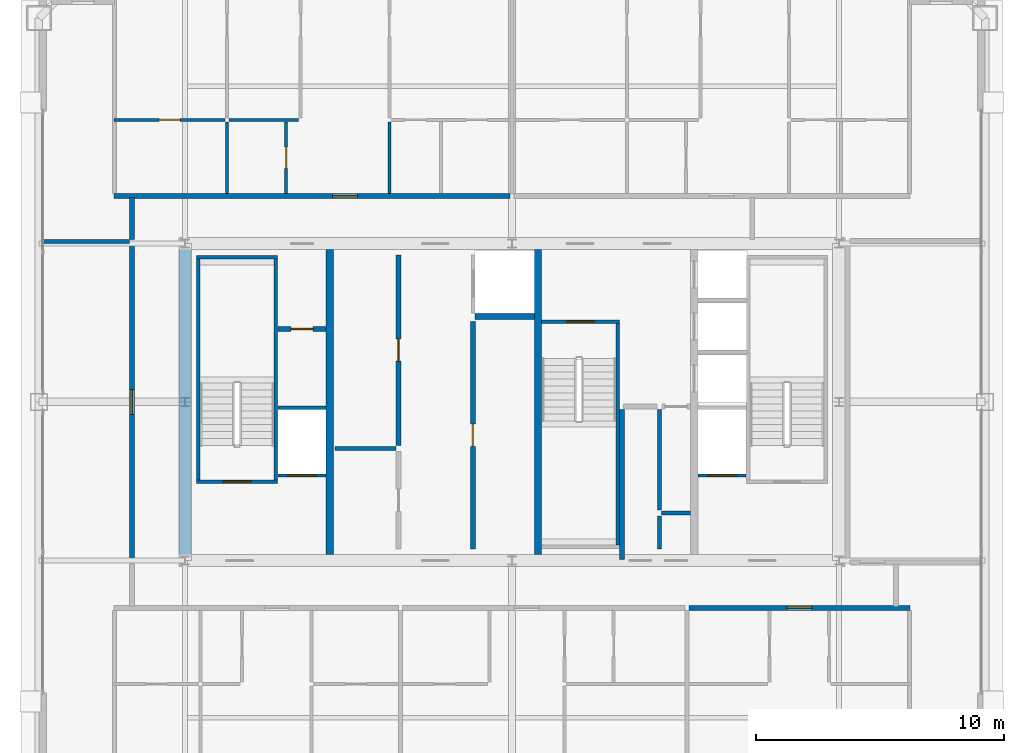
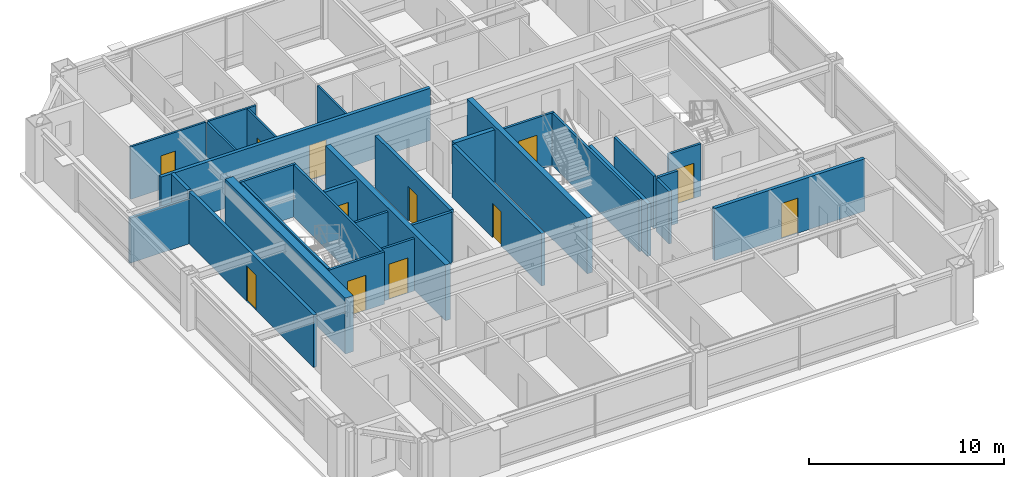
# One storey, part 31 of 35: 31 walls, 12 doors, 12 openings.
"""IFC4 building model written with IfcOpenShell, lengths in metres."""

from ifc_helpers import new_model, si_unit, direction, frame, frame_2d, origin, place, context, subcontext, project, spatial, rectangle, extrude, source, transform, mapped, material, layer, layer_set, type_object, element, fill, save


model = new_model("IFC4")

# Units and contexts
model_context = context("Model", 3, precision=1e-05, world=origin(), true_north=direction((0.0, 1.0)))
body_context = subcontext(model_context, "Body", "Model", "MODEL_VIEW")
ifc_project = project(units=[si_unit("LENGTHUNIT", "METRE"), si_unit("AREAUNIT", "SQUARE_METRE"), si_unit("VOLUMEUNIT", "CUBIC_METRE"), si_unit("PLANEANGLEUNIT", "RADIAN"), si_unit("MASSUNIT", "GRAM", prefix="KILO"), si_unit("THERMODYNAMICTEMPERATUREUNIT", "KELVIN"), si_unit("POWERUNIT", "WATT")], contexts=[model_context])

# Site, building, storey
site_placement = place(None, origin())
site = spatial("IfcSite", under=ifc_project, at=site_placement, CompositionType="ELEMENT")
building_placement = place(site_placement, origin())
building = spatial("IfcBuilding", under=site, at=building_placement, Name="Yuzanri Waterfront Tower", CompositionType="ELEMENT")
storey_placement = place(building_placement, frame((0.0, 0.0, 332.199951171875)))
storey = spatial("IfcBuildingStorey", under=building, at=storey_placement, Name="L89", CompositionType="ELEMENT", Elevation=332.199951171875)

# Wall, opening, door
ifc_material_1 = material(Name="Moisture-Resistant Gypsum Stud Wall", Category="gypsum")
ifc_layer_1 = layer(ifc_material_1, 0.1201171875)
ifc_layer_set_1 = layer_set([ifc_layer_1], Name="Moisture-Resistant Gypsum Stud Wall")
wall_type_1 = type_object("IfcWallType", Name="Bathroom and Kitchen Wet Partition 120", PredefinedType="PARTITIONING", material=ifc_layer_set_1)
wall_1_placement = place(storey_placement, frame((20.93994140625, 37.18994140625, 0.0), z_axis=(0.0, 0.0, 1.0), x_axis=(1.0, 0.0, 0.0)))
wall_1 = element("IfcWall", 1, at=wall_1_placement, inside=storey, type_object=wall_type_1, Name="L89 Partition UW-L89-HN1-SUB-1-N", PredefinedType="PARTITIONING", context=body_context, shape_type="SweptSolid", body=[
    extrude(rectangle(XDim=4.47412109375, YDim=0.1201171875, at=frame_2d((2.237060546875, 0.0))), origin(), (0.0, 0.0, 1.0), 3.280029296875),
])
opening_1_placement = place(wall_1_placement, frame((1.81201171875, 0.0, 0.0)))
opening_1 = element("IfcOpeningElement", 2, at=opening_1_placement, cuts=wall_1, Name="Opening ID-0850", PredefinedType="OPENING", context=body_context, shape_type="SweptSolid", body=[
    extrude(rectangle(XDim=0.85009765625, YDim=2.10009765625, at=frame_2d((0.425048828125, 1.050048828125))), frame((0.0, 0.074951171875, 0.0), z_axis=(0.0, -1.0, 0.0), x_axis=(1.0, 0.0, 0.0)), (0.0, 0.0, 1.0), 0.14990234375),
])
ifc_material_2 = material(Name="Moisture-Resistant Lacquered Timber", Category="wood")
door_type_1 = type_object("IfcDoorType", Name="En-Suite Bathroom and Kitchen Swing Door 850x2100", OperationType="NOTDEFINED", PredefinedType="DOOR", material=ifc_material_2)
shared_shape_1 = source(origin(), body_context, "Body", "SweptSolid", [
    extrude(rectangle(XDim=0.85009765625, YDim=2.10009765625, at=frame_2d((0.425048828125, 1.050048828125))), frame((0.0, 0.02490234375, 0.0), z_axis=(0.0, -1.0, 0.0), x_axis=(1.0, 0.0, 0.0)), (0.0, 0.0, 1.0), 0.050048828125),
])
door_1_placement = place(opening_1_placement, origin())
door_1 = element("IfcDoor", 3, at=door_1_placement, inside=storey, type_object=door_type_1, Name="L89 Suite Interior Room Door", OperationType="SINGLE_SWING_RIGHT", OverallHeight=2.10009765625, OverallWidth=0.85009765625, PredefinedType="DOOR", context=body_context, shape_type="MappedRepresentation", body=[
    mapped(shared_shape_1, transform((0.0, 0.0, 0.0), scale=1.0)),
])
fill(opening_1, door_1)

wall_2_placement = place(storey_placement, frame((27.882080078125, 34.2099609375, 0.0), z_axis=(0.0, 0.0, 1.0), x_axis=(0.0, 1.0, 0.0)))
wall_2 = element("IfcWall", 4, at=wall_2_placement, inside=storey, type_object=wall_type_1, Name="L89 Partition UW-L89-HN1-SUB-2-E", PredefinedType="PARTITIONING", context=body_context, shape_type="SweptSolid", body=[
    extrude(rectangle(XDim=2.900146484375, YDim=0.1201171875, at=frame_2d((1.4501953125, 0.0))), origin(), (0.0, 0.0, 1.0), 3.280029296875),
])
opening_2_placement = place(wall_2_placement, frame((1.02490234375, 0.0, 0.0)))
opening_2 = element("IfcOpeningElement", 5, at=opening_2_placement, cuts=wall_2, Name="Opening ID-0850", PredefinedType="OPENING", context=body_context, shape_type="SweptSolid", body=[
    extrude(rectangle(XDim=0.85009765625, YDim=2.10009765625, at=frame_2d((0.425048828125, 1.050048828125))), frame((0.0, 0.074951171875, 0.0), z_axis=(0.0, -1.0, 0.0), x_axis=(1.0, 0.0, 0.0)), (0.0, 0.0, 1.0), 0.14990234375),
])
door_2_placement = place(opening_2_placement, origin())
door_2 = element("IfcDoor", 6, at=door_2_placement, inside=storey, type_object=door_type_1, Name="L89 Suite Interior Room Door", OperationType="SINGLE_SWING_LEFT", OverallHeight=2.10009765625, OverallWidth=0.85009765625, PredefinedType="DOOR", context=body_context, shape_type="MappedRepresentation", body=[
    mapped(shared_shape_1, transform((0.0, 0.0, 0.0), scale=1.0)),
])
fill(opening_2, door_2)

ifc_material_3 = material(Name="Concrete C40", Category="concrete")
ifc_layer_2 = layer(ifc_material_3, 0.139892578125)
ifc_layer_set_2 = layer_set([ifc_layer_2], Name="Concrete C40")
wall_type_2 = type_object("IfcWallType", Name="Core Stair Liner and Hoistway Shaft Wall 140", PredefinedType="SOLIDWALL", material=ifc_layer_set_2)
wall_3_placement = place(storey_placement, frame((27.56005859375, 22.830078125, 0.0), z_axis=(0.0, 0.0, 1.0), x_axis=(1.0, 0.0, 0.0)))
wall_3 = element("IfcWall", 7, at=wall_3_placement, inside=storey, type_object=wall_type_2, Name="L89 Lift FL-01 Front Shaft Wall", PredefinedType="SOLIDWALL", context=body_context, shape_type="SweptSolid", body=[
    extrude(rectangle(XDim=1.919921875, YDim=0.139892578125, at=frame_2d((0.9599609375, 0.0))), origin(), (0.0, 0.0, 1.0), 3.280029296875),
])
opening_3_placement = place(wall_3_placement, frame((0.409912109375, 0.0, 0.0)))
opening_3 = element("IfcOpeningElement", 8, at=opening_3_placement, cuts=wall_3, Name="Opening LD-FL-01", PredefinedType="OPENING", context=body_context, shape_type="SweptSolid", body=[
    extrude(rectangle(XDim=1.10009765625, YDim=2.199951171875, at=frame_2d((0.550048828125, 1.10009765625))), frame((0.0, 0.0849609375, 0.0), z_axis=(0.0, -1.0, 0.0), x_axis=(1.0, 0.0, 0.0)), (0.0, 0.0, 1.0), 0.169677734375),
])
ifc_material_4 = material(Name="Brushed Bronze and Stainless Steel Cab", Category="steel")
door_type_2 = type_object("IfcDoorType", Name="Center-Parting Bronze Lift Landing Sliding Door 1100x2200", OperationType="NOTDEFINED", PredefinedType="DOOR", material=ifc_material_4)
shared_shape_2 = source(origin(), body_context, "Body", "SweptSolid", [
    extrude(rectangle(XDim=1.10009765625, YDim=2.199951171875, at=frame_2d((0.550048828125, 1.10009765625))), frame((0.0, 0.02490234375, 0.0), z_axis=(0.0, -1.0, 0.0), x_axis=(1.0, 0.0, 0.0)), (0.0, 0.0, 1.0), 0.050048828125),
])
door_3_placement = place(opening_3_placement, origin())
door_3 = element("IfcDoor", 9, at=door_3_placement, inside=storey, type_object=door_type_2, Name="L89 FL-01 Lift Landing Sliding Door", OperationType="SLIDING_TO_LEFT", OverallHeight=2.199951171875, OverallWidth=1.10009765625, PredefinedType="DOOR", context=body_context, shape_type="MappedRepresentation", body=[
    mapped(shared_shape_2, transform((0.0, 0.0, 0.0), scale=1.0)),
])
fill(opening_3, door_3)

wall_4_placement = place(storey_placement, frame((44.52001953125, 22.830078125, 0.0), z_axis=(0.0, 0.0, 1.0), x_axis=(1.0, 0.0, 0.0)))
wall_4 = element("IfcWall", 10, at=wall_4_placement, inside=storey, type_object=wall_type_2, Name="L89 Lift FL-02 Front Shaft Wall", PredefinedType="SOLIDWALL", context=body_context, shape_type="SweptSolid", body=[
    extrude(rectangle(XDim=1.919921875, YDim=0.139892578125, at=frame_2d((0.9599609375, 0.0))), origin(), (0.0, 0.0, 1.0), 3.280029296875),
])
opening_4_placement = place(wall_4_placement, frame((0.409912109375, 0.0, 0.0)))
opening_4 = element("IfcOpeningElement", 11, at=opening_4_placement, cuts=wall_4, Name="Opening LD-FL-02", PredefinedType="OPENING", context=body_context, shape_type="SweptSolid", body=[
    extrude(rectangle(XDim=1.10009765625, YDim=2.199951171875, at=frame_2d((0.550048828125, 1.10009765625))), frame((0.0, 0.0849609375, 0.0), z_axis=(0.0, -1.0, 0.0), x_axis=(1.0, 0.0, 0.0)), (0.0, 0.0, 1.0), 0.169677734375),
])
door_4_placement = place(opening_4_placement, origin())
door_4 = element("IfcDoor", 12, at=door_4_placement, inside=storey, type_object=door_type_2, Name="L89 FL-02 Lift Landing Sliding Door", OperationType="SLIDING_TO_RIGHT", OverallHeight=2.199951171875, OverallWidth=1.10009765625, PredefinedType="DOOR", context=body_context, shape_type="MappedRepresentation", body=[
    mapped(shared_shape_2, transform((0.0, 0.0, 0.0), scale=1.0)),
])
fill(opening_4, door_4)

wall_5_placement = place(storey_placement, frame((24.260009765625, 22.570068359375, 0.0), z_axis=(0.0, 0.0, 1.0), x_axis=(1.0, 0.0, 0.0)))
wall_5 = element("IfcWall", 13, at=wall_5_placement, inside=storey, type_object=wall_type_2, Name="L89 Shaft Wall STW-L89-ST-01-S", PredefinedType="SOLIDWALL", context=body_context, shape_type="SweptSolid", body=[
    extrude(rectangle(XDim=3.280029296875, YDim=0.139892578125, at=frame_2d((1.64013671875, 0.0))), origin(), (0.0, 0.0, 1.0), 3.280029296875),
])
opening_5_placement = place(wall_5_placement, frame((1.090087890625, 0.0, 0.0)))
opening_5 = element("IfcOpeningElement", 14, at=opening_5_placement, cuts=wall_5, Name="Opening FD-1100", PredefinedType="OPENING", context=body_context, shape_type="SweptSolid", body=[
    extrude(rectangle(XDim=1.10009765625, YDim=2.199951171875, at=frame_2d((0.550048828125, 1.10009765625))), frame((0.0, 0.0849609375, 0.0), z_axis=(0.0, -1.0, 0.0), x_axis=(1.0, 0.0, 0.0)), (0.0, 0.0, 1.0), 0.169677734375),
])
ifc_material_5 = material(Name="Painted Galvanized Fire Steel", Category="steel")
door_type_3 = type_object("IfcDoorType", Name="Smoke-Proof Stair and Lobby Fire Door 1100x2200", OperationType="NOTDEFINED", PredefinedType="DOOR", material=ifc_material_5)
shared_shape_3 = source(origin(), body_context, "Body", "SweptSolid", [
    extrude(rectangle(XDim=1.10009765625, YDim=2.199951171875, at=frame_2d((0.550048828125, 1.10009765625))), frame((0.0, 0.02490234375, 0.0), z_axis=(0.0, -1.0, 0.0), x_axis=(1.0, 0.0, 0.0)), (0.0, 0.0, 1.0), 0.050048828125),
])
door_5_placement = place(opening_5_placement, origin())
door_5 = element("IfcDoor", 15, at=door_5_placement, inside=storey, type_object=door_type_3, Name="L89 Stair ST-01 Fire Door", OperationType="SINGLE_SWING_RIGHT", OverallHeight=2.199951171875, OverallWidth=1.10009765625, PredefinedType="DOOR", context=body_context, shape_type="MappedRepresentation", body=[
    mapped(shared_shape_3, transform((0.0, 0.0, 0.0), scale=1.0)),
])
fill(opening_5, door_5)

wall_6_placement = place(storey_placement, frame((38.199951171875, 29.030029296875, 0.0), z_axis=(0.0, 0.0, 1.0), x_axis=(1.0, 0.0, 0.0)))
wall_6 = element("IfcWall", 16, at=wall_6_placement, inside=storey, type_object=wall_type_2, Name="L89 Shaft Wall STW-L89-ST-03-N", PredefinedType="SOLIDWALL", context=body_context, shape_type="SweptSolid", body=[
    extrude(rectangle(XDim=3.14013671875, YDim=0.139892578125, at=frame_2d((1.570068359375, 0.0))), origin(), (0.0, 0.0, 1.0), 3.280029296875),
])
opening_6_placement = place(wall_6_placement, frame((1.02001953125, 0.0, 0.0)))
opening_6 = element("IfcOpeningElement", 17, at=opening_6_placement, cuts=wall_6, Name="Opening FD-1100", PredefinedType="OPENING", context=body_context, shape_type="SweptSolid", body=[
    extrude(rectangle(XDim=1.10009765625, YDim=2.199951171875, at=frame_2d((0.550048828125, 1.10009765625))), frame((0.0, 0.0849609375, 0.0), z_axis=(0.0, -1.0, 0.0), x_axis=(1.0, 0.0, 0.0)), (0.0, 0.0, 1.0), 0.169677734375),
])
door_6_placement = place(opening_6_placement, origin())
door_6 = element("IfcDoor", 18, at=door_6_placement, inside=storey, type_object=door_type_3, Name="L89 Stair ST-03 Fire Door", OperationType="SINGLE_SWING_RIGHT", OverallHeight=2.199951171875, OverallWidth=1.10009765625, PredefinedType="DOOR", context=body_context, shape_type="MappedRepresentation", body=[
    mapped(shared_shape_3, transform((0.0, 0.0, 0.0), scale=1.0)),
])
fill(opening_6, door_6)

ifc_material_6 = material(Name="Autoclaved Aerated Concrete Blockwork", Category="masonry")
ifc_layer_3 = layer(ifc_material_6, 0.199951171875)
ifc_layer_set_3 = layer_set([ifc_layer_3], Name="Autoclaved Aerated Concrete Blockwork")
wall_type_3 = type_object("IfcWallType", Name="Corridor and Unit Party Fire Wall 200", PredefinedType="PARTITIONING", material=ifc_layer_set_3)
wall_7_placement = place(storey_placement, frame((27.56005859375, 28.75, 0.0), z_axis=(0.0, 0.0, 1.0), x_axis=(1.0, 0.0, 0.0)))
wall_7 = element("IfcWall", 19, at=wall_7_placement, inside=storey, type_object=wall_type_3, Name="L89 Partition CRW-L89-ERTR", PredefinedType="PARTITIONING", context=body_context, shape_type="SweptSolid", body=[
    extrude(rectangle(XDim=1.919921875, YDim=0.199951171875, at=frame_2d((0.9599609375, 0.0))), origin(), (0.0, 0.0, 1.0), 3.280029296875),
])
opening_7_placement = place(wall_7_placement, frame((0.510009765625, 0.0, 0.0)))
opening_7 = element("IfcOpeningElement", 20, at=opening_7_placement, cuts=wall_7, Name="Opening FD-0900", PredefinedType="OPENING", context=body_context, shape_type="SweptSolid", body=[
    extrude(rectangle(XDim=0.89990234375, YDim=2.14990234375, at=frame_2d((0.449951171875, 1.074951171875))), frame((0.0, 0.11474609375, 0.0), z_axis=(0.0, -1.0, 0.0), x_axis=(1.0, 0.0, 0.0)), (0.0, 0.0, 1.0), 0.229736328125),
])
ifc_material_7 = material(Name="Painted Galvanized Fire Steel", Category="steel")
door_type_4 = type_object("IfcDoorType", Name="Riser and Service Room Fire Door 900x2150", OperationType="NOTDEFINED", PredefinedType="DOOR", material=ifc_material_7)
shared_shape_4 = source(origin(), body_context, "Body", "SweptSolid", [
    extrude(rectangle(XDim=0.89990234375, YDim=2.14990234375, at=frame_2d((0.449951171875, 1.074951171875))), frame((0.0, 0.02490234375, 0.0), z_axis=(0.0, -1.0, 0.0), x_axis=(1.0, 0.0, 0.0)), (0.0, 0.0, 1.0), 0.050048828125),
])
door_7_placement = place(opening_7_placement, origin())
door_7 = element("IfcDoor", 21, at=door_7_placement, inside=storey, type_object=door_type_4, Name="L89 Electrical Riser Door", OperationType="SINGLE_SWING_RIGHT", OverallHeight=2.14990234375, OverallWidth=0.89990234375, PredefinedType="DOOR", context=body_context, shape_type="MappedRepresentation", body=[
    mapped(shared_shape_4, transform((0.0, 0.0, 0.0), scale=1.0)),
])
fill(opening_7, door_7)

wall_8_placement = place(storey_placement, frame((32.419921875, 24.050048828125, 0.0), z_axis=(0.0, 0.0, 1.0), x_axis=(0.0, 1.0, 0.0)))
wall_8 = element("IfcWall", 22, at=wall_8_placement, inside=storey, type_object=wall_type_3, Name="L89 Partition CRW-L89-B1R-2", PredefinedType="PARTITIONING", context=body_context, shape_type="SweptSolid", body=[
    extrude(rectangle(XDim=7.68994140625, YDim=0.199951171875, at=frame_2d((3.844970703125, 0.0))), origin(), (0.0, 0.0, 1.0), 3.280029296875),
])
opening_8_placement = place(wall_8_placement, frame((3.39501953125, 0.0, 0.0)))
opening_8 = element("IfcOpeningElement", 23, at=opening_8_placement, cuts=wall_8, Name="Opening FD-0900", PredefinedType="OPENING", context=body_context, shape_type="SweptSolid", body=[
    extrude(rectangle(XDim=0.89990234375, YDim=2.14990234375, at=frame_2d((0.449951171875, 1.074951171875))), frame((0.0, 0.11474609375, 0.0), z_axis=(0.0, -1.0, 0.0), x_axis=(1.0, 0.0, 0.0)), (0.0, 0.0, 1.0), 0.229736328125),
])
door_8_placement = place(opening_8_placement, origin())
door_8 = element("IfcDoor", 24, at=door_8_placement, inside=storey, type_object=door_type_4, Name="L89 Common Store Room", OperationType="SINGLE_SWING_RIGHT", OverallHeight=2.14990234375, OverallWidth=0.89990234375, PredefinedType="DOOR", context=body_context, shape_type="MappedRepresentation", body=[
    mapped(shared_shape_4, transform((0.0, 0.0, 0.0), scale=1.0)),
])
fill(opening_8, door_8)

wall_9_placement = place(storey_placement, frame((35.419921875, 19.860107421875, 0.0), z_axis=(0.0, 0.0, 1.0), x_axis=(0.0, 1.0, 0.0)))
wall_9 = element("IfcWall", 25, at=wall_9_placement, inside=storey, type_object=wall_type_3, Name="L89 Partition CRW-L89-B2R-1", PredefinedType="PARTITIONING", context=body_context, shape_type="SweptSolid", body=[
    extrude(rectangle(XDim=9.18994140625, YDim=0.199951171875, at=frame_2d((4.594970703125, 0.0))), origin(), (0.0, 0.0, 1.0), 3.280029296875),
])
opening_9_placement = place(wall_9_placement, frame((4.14501953125, 0.0, 0.0)))
opening_9 = element("IfcOpeningElement", 26, at=opening_9_placement, cuts=wall_9, Name="Opening FD-0900", PredefinedType="OPENING", context=body_context, shape_type="SweptSolid", body=[
    extrude(rectangle(XDim=0.89990234375, YDim=2.14990234375, at=frame_2d((0.449951171875, 1.074951171875))), frame((0.0, 0.11474609375, 0.0), z_axis=(0.0, -1.0, 0.0), x_axis=(1.0, 0.0, 0.0)), (0.0, 0.0, 1.0), 0.229736328125),
])
door_9_placement = place(opening_9_placement, origin())
door_9 = element("IfcDoor", 27, at=door_9_placement, inside=storey, type_object=door_type_4, Name="L89 Upper General Store Room", OperationType="SINGLE_SWING_LEFT", OverallHeight=2.14990234375, OverallWidth=0.89990234375, PredefinedType="DOOR", context=body_context, shape_type="MappedRepresentation", body=[
    mapped(shared_shape_4, transform((0.0, 0.0, 0.0), scale=1.0)),
])
fill(opening_9, door_9)

wall_10_placement = place(storey_placement, frame((44.14599609375, 17.489990234375, 0.0), z_axis=(0.0, 0.0, 1.0), x_axis=(1.0, 0.0, 0.0)))
wall_10 = element("IfcWall", 28, at=wall_10_placement, inside=storey, type_object=wall_type_3, Name="L89 Partition UW-L89-HS3-CN", PredefinedType="PARTITIONING", context=body_context, shape_type="SweptSolid", body=[
    extrude(rectangle(XDim=8.9140625, YDim=0.199951171875, at=frame_2d((4.45703125, 0.0))), origin(), (0.0, 0.0, 1.0), 3.280029296875),
])
opening_10_placement = place(wall_10_placement, frame((3.95703125, 0.0, 0.0)))
opening_10 = element("IfcOpeningElement", 29, at=opening_10_placement, cuts=wall_10, Name="Opening FD-1000", PredefinedType="OPENING", context=body_context, shape_type="SweptSolid", body=[
    extrude(rectangle(XDim=1.0, YDim=2.199951171875, at=frame_2d((0.5, 1.10009765625))), frame((0.0, 0.11474609375, 0.0), z_axis=(0.0, -1.0, 0.0), x_axis=(1.0, 0.0, 0.0)), (0.0, 0.0, 1.0), 0.229736328125),
])
ifc_material_8 = material(Name="Engineered Oak Fire-Rated Timber", Category="wood")
door_type_5 = type_object("IfcDoorType", Name="Guestroom and Apartment Entrance Fire Door 1000x2200", OperationType="NOTDEFINED", PredefinedType="DOOR", material=ifc_material_8)
shared_shape_5 = source(origin(), body_context, "Body", "SweptSolid", [
    extrude(rectangle(XDim=1.0, YDim=2.199951171875, at=frame_2d((0.5, 1.10009765625))), frame((0.0, 0.02490234375, 0.0), z_axis=(0.0, -1.0, 0.0), x_axis=(1.0, 0.0, 0.0)), (0.0, 0.0, 1.0), 0.050048828125),
])
door_10_placement = place(opening_10_placement, origin())
door_10 = element("IfcDoor", 30, at=door_10_placement, inside=storey, type_object=door_type_5, Name="L89 Studio Living and Sleeping Room Entrance Door", OperationType="SINGLE_SWING_RIGHT", OverallHeight=2.199951171875, OverallWidth=1.0, PredefinedType="DOOR", context=body_context, shape_type="MappedRepresentation", body=[
    mapped(shared_shape_5, transform((0.0, 0.0, 0.0), scale=1.0)),
])
fill(opening_10, door_10)

wall_11_placement = place(storey_placement, frame((20.93994140625, 34.110107421875, 0.0), z_axis=(0.0, 0.0, 1.0), x_axis=(1.0, 0.0, 0.0)))
wall_11 = element("IfcWall", 31, at=wall_11_placement, inside=storey, type_object=wall_type_3, Name="L89 Partition UW-L89-HN1-CS", PredefinedType="PARTITIONING", context=body_context, shape_type="SweptSolid", body=[
    extrude(rectangle(XDim=15.97998046875, YDim=0.199951171875, at=frame_2d((7.989990234375, 0.0))), origin(), (0.0, 0.0, 1.0), 3.280029296875),
])
opening_11_placement = place(wall_11_placement, frame((8.81591796875, 0.0, 0.0)))
opening_11 = element("IfcOpeningElement", 32, at=opening_11_placement, cuts=wall_11, Name="Opening FD-1000", PredefinedType="OPENING", context=body_context, shape_type="SweptSolid", body=[
    extrude(rectangle(XDim=1.0, YDim=2.199951171875, at=frame_2d((0.5, 1.10009765625))), frame((0.0, 0.11474609375, 0.0), z_axis=(0.0, -1.0, 0.0), x_axis=(1.0, 0.0, 0.0)), (0.0, 0.0, 1.0), 0.229736328125),
])
door_11_placement = place(opening_11_placement, origin())
door_11 = element("IfcDoor", 33, at=door_11_placement, inside=storey, type_object=door_type_5, Name="L89 Apartment Living and Dining Salon Entrance Door", OperationType="SINGLE_SWING_LEFT", OverallHeight=2.199951171875, OverallWidth=1.0, PredefinedType="DOOR", context=body_context, shape_type="MappedRepresentation", body=[
    mapped(shared_shape_5, transform((0.0, 0.0, 0.0), scale=1.0)),
])
fill(opening_11, door_11)

wall_12_placement = place(storey_placement, frame((21.64990234375, 19.409912109375, 0.0), z_axis=(0.0, 0.0, 1.0), x_axis=(0.0, 1.0, 0.0)))
wall_12 = element("IfcWall", 34, at=wall_12_placement, inside=storey, type_object=wall_type_3, Name="L89 Partition UW-L89-050-CW", PredefinedType="PARTITIONING", context=body_context, shape_type="SweptSolid", body=[
    extrude(rectangle(XDim=12.780029296875, YDim=0.199951171875, at=frame_2d((6.39013671875, 0.0))), origin(), (0.0, 0.0, 1.0), 3.280029296875),
])
opening_12_placement = place(wall_12_placement, frame((5.889892578125, 0.0, 0.0)))
opening_12 = element("IfcOpeningElement", 35, at=opening_12_placement, cuts=wall_12, Name="Opening FD-1000", PredefinedType="OPENING", context=body_context, shape_type="SweptSolid", body=[
    extrude(rectangle(XDim=1.0, YDim=2.199951171875, at=frame_2d((0.5, 1.10009765625))), frame((0.0, 0.11474609375, 0.0), z_axis=(0.0, -1.0, 0.0), x_axis=(1.0, 0.0, 0.0)), (0.0, 0.0, 1.0), 0.229736328125),
])
door_12_placement = place(opening_12_placement, origin())
door_12 = element("IfcDoor", 36, at=door_12_placement, inside=storey, type_object=door_type_5, Name="L89 High-Rise W Wellness Gym Studio Entrance Door", OperationType="SINGLE_SWING_LEFT", OverallHeight=2.199951171875, OverallWidth=1.0, PredefinedType="DOOR", context=body_context, shape_type="MappedRepresentation", body=[
    mapped(shared_shape_5, transform((0.0, 0.0, 0.0), scale=1.0)),
])
fill(opening_12, door_12)

# Walls
ifc_material_9 = material(Name="Concrete C45", Category="concrete")
ifc_layer_4 = layer(ifc_material_9, 0.47998046875)
ifc_layer_set_4 = layer_set([ifc_layer_4], Name="Concrete C45")
wall_type_4 = type_object("IfcWallType", Name="Concrete C45 High-Rise Core Shear Wall 480", PredefinedType="SHEAR", material=ifc_layer_set_4)
shared_shape_6 = source(origin(), body_context, "Body", "SweptSolid", [
    extrude(rectangle(XDim=12.320068359375, YDim=0.47998046875, at=frame_2d((6.16015625, 0.0))), origin(), (0.0, 0.0, 1.0), 3.5),
])
wall_13_placement = place(storey_placement, frame((23.800048828125, 19.639892578125, 0.0), z_axis=(0.0, 0.0, 1.0), x_axis=(0.0, 1.0, 0.0)))
element("IfcWall", 37, at=wall_13_placement, inside=storey, type_object=wall_type_4, Name="L89 Core West Shear Wall", PredefinedType="SHEAR", context=body_context, shape_type="MappedRepresentation", body=[
    mapped(shared_shape_6, transform((0.0, 0.0, 0.0), scale=1.0)),
])
ifc_material_10 = material(Name="Concrete C50", Category="concrete")
ifc_layer_5 = layer(ifc_material_10, 0.300048828125)
ifc_layer_set_5 = layer_set([ifc_layer_5], Name="Concrete C50")
wall_type_5 = type_object("IfcWallType", Name="Concrete C50 Internal Core Shaft Structural Wall 300", PredefinedType="SOLIDWALL", material=ifc_layer_set_5)
shared_shape_7 = source(origin(), body_context, "Body", "SweptSolid", [
    extrude(rectangle(XDim=12.320068359375, YDim=0.300048828125, at=frame_2d((6.16015625, 0.0))), origin(), (0.0, 0.0, 1.0), 3.5),
])
for number, where, z_axis, x_axis, name in (
    (38, (29.64990234375, 19.639892578125, 0.0), (0.0, 0.0, 1.0), (0.0, 1.0, 0.0), "L89 Core Internal Structural Web Wall 1"),
    (39, (38.050048828125, 19.639892578125, 0.0), (0.0, 0.0, 1.0), (0.0, 1.0, 0.0), "L89 Core Internal Structural Web Wall 2"),
):
    element("IfcWall", number, at=place(storey_placement, frame(where, z_axis=z_axis, x_axis=x_axis)), inside=storey, type_object=wall_type_5, Name=name, PredefinedType="SOLIDWALL", context=body_context, shape_type="MappedRepresentation", body=[
        mapped(shared_shape_7, transform((0.0, 0.0, 0.0), scale=1.0)),
    ])
shared_shape_8 = source(origin(), body_context, "Body", "SweptSolid", [
    extrude(rectangle(XDim=1.919921875, YDim=0.139892578125, at=frame_2d((0.9599609375, 0.0))), origin(), (0.0, 0.0, 1.0), 3.280029296875),
])
wall_14_placement = place(storey_placement, frame((27.56005859375, 25.570068359375, 0.0), z_axis=(0.0, 0.0, 1.0), x_axis=(1.0, 0.0, 0.0)))
element("IfcWall", 40, at=wall_14_placement, inside=storey, type_object=wall_type_2, Name="L89 Lift FL-01 Back Shaft Wall", PredefinedType="SOLIDWALL", context=body_context, shape_type="MappedRepresentation", body=[
    mapped(shared_shape_8, transform((0.0, 0.0, 0.0), scale=1.0)),
])
ifc_material_11 = material(Name="Concrete C40", Category="concrete")
ifc_layer_6 = layer(ifc_material_11, 0.25)
ifc_layer_set_6 = layer_set([ifc_layer_6], Name="Concrete C40")
wall_type_6 = type_object("IfcWallType", Name="Smoke-Proof Stair and Lift Shaft Wall 250", PredefinedType="SOLIDWALL", material=ifc_layer_set_6)
shared_shape_9 = source(origin(), body_context, "Body", "SweptSolid", [
    extrude(rectangle(XDim=2.39990234375, YDim=0.25, at=frame_2d((1.199951171875, 0.0))), origin(), (0.0, 0.0, 1.0), 3.280029296875),
])
wall_15_placement = place(storey_placement, frame((35.5, 29.25, 0.0), z_axis=(0.0, 0.0, 1.0), x_axis=(1.0, 0.0, 0.0)))
element("IfcWall", 41, at=wall_15_placement, inside=storey, type_object=wall_type_6, Name="L89 Lift SL-02 South Shaft Wall", PredefinedType="SOLIDWALL", context=body_context, shape_type="MappedRepresentation", body=[
    mapped(shared_shape_9, transform((0.0, 0.0, 0.0), scale=1.0)),
])
shared_shape_10 = source(origin(), body_context, "Body", "SweptSolid", [
    extrude(rectangle(XDim=3.280029296875, YDim=0.139892578125, at=frame_2d((1.64013671875, 0.0))), origin(), (0.0, 0.0, 1.0), 3.280029296875),
])
wall_16_placement = place(storey_placement, frame((24.260009765625, 31.64990234375, 0.0), z_axis=(0.0, 0.0, 1.0), x_axis=(1.0, 0.0, 0.0)))
element("IfcWall", 42, at=wall_16_placement, inside=storey, type_object=wall_type_2, Name="L89 Stair ST-01 North Shaft Wall", PredefinedType="SOLIDWALL", context=body_context, shape_type="MappedRepresentation", body=[
    mapped(shared_shape_10, transform((0.0, 0.0, 0.0), scale=1.0)),
])
shared_shape_11 = source(origin(), body_context, "Body", "SweptSolid", [
    extrude(rectangle(XDim=8.940185546875, YDim=0.139892578125, at=frame_2d((4.47021484375, 0.0))), origin(), (0.0, 0.0, 1.0), 3.280029296875),
])
for number, where, z_axis, x_axis, name in (
    (43, (24.330078125, 22.639892578125, 0.0), (0.0, 0.0, 1.0), (0.0, 1.0, 0.0), "L89 Stair ST-01 West Shaft Wall"),
    (44, (27.469970703125, 22.639892578125, 0.0), (0.0, 0.0, 1.0), (0.0, 1.0, 0.0), "L89 Stair ST-01 East Shaft Wall"),
):
    element("IfcWall", number, at=place(storey_placement, frame(where, z_axis=z_axis, x_axis=x_axis)), inside=storey, type_object=wall_type_2, Name=name, PredefinedType="SOLIDWALL", context=body_context, shape_type="MappedRepresentation", body=[
        mapped(shared_shape_11, transform((0.0, 0.0, 0.0), scale=1.0)),
    ])
shared_shape_12 = source(origin(), body_context, "Body", "SweptSolid", [
    extrude(rectangle(XDim=8.93994140625, YDim=0.139892578125, at=frame_2d((4.469970703125, 0.0))), origin(), (0.0, 0.0, 1.0), 3.280029296875),
])
wall_17_placement = place(storey_placement, frame((41.27001953125, 20.02001953125, 0.0), z_axis=(0.0, 0.0, 1.0), x_axis=(0.0, 1.0, 0.0)))
element("IfcWall", 45, at=wall_17_placement, inside=storey, type_object=wall_type_2, Name="L89 Stair ST-03 East Shaft Wall", PredefinedType="SOLIDWALL", context=body_context, shape_type="MappedRepresentation", body=[
    mapped(shared_shape_12, transform((0.0, 0.0, 0.0), scale=1.0)),
])
ifc_material_12 = material(Name="Gypsum Fireboard Acoustic Stud Wall", Category="gypsum")
ifc_layer_7 = layer(ifc_material_12, 0.159912109375)
ifc_layer_set_7 = layer_set([ifc_layer_7], Name="Gypsum Fireboard Acoustic Stud Wall")
wall_type_7 = type_object("IfcWallType", Name="Acoustic Suite Demising Partition 160", PredefinedType="PARTITIONING", material=ifc_layer_set_7)
shared_shape_13 = source(origin(), body_context, "Body", "SweptSolid", [
    extrude(rectangle(XDim=2.469970703125, YDim=0.159912109375, at=frame_2d((1.23486328125, 0.0))), origin(), (0.0, 0.0, 1.0), 3.280029296875),
])
wall_18_placement = place(storey_placement, frame((29.85009765625, 23.929931640625, 0.0), z_axis=(0.0, 0.0, 1.0), x_axis=(1.0, 0.0, 0.0)))
element("IfcWall", 46, at=wall_18_placement, inside=storey, type_object=wall_type_7, Name="L89 Reclaimed Core Divider 2", PredefinedType="PARTITIONING", context=body_context, shape_type="MappedRepresentation", body=[
    mapped(shared_shape_13, transform((0.0, 0.0, 0.0), scale=1.0)),
])
shared_shape_14 = source(origin(), body_context, "Body", "SweptSolid", [
    extrude(rectangle(XDim=1.33984375, YDim=0.159912109375, at=frame_2d((0.669921875, 0.0))), origin(), (0.0, 0.0, 1.0), 3.280029296875),
])
wall_19_placement = place(storey_placement, frame((42.949951171875, 19.860107421875, 0.0), z_axis=(0.0, 0.0, 1.0), x_axis=(0.0, 1.0, 0.0)))
element("IfcWall", 47, at=wall_19_placement, inside=storey, type_object=wall_type_7, Name="L89 East Wet Riser West Wall", PredefinedType="PARTITIONING", context=body_context, shape_type="MappedRepresentation", body=[
    mapped(shared_shape_14, transform((0.0, 0.0, 0.0), scale=1.0)),
])
shared_shape_15 = source(origin(), body_context, "Body", "SweptSolid", [
    extrude(rectangle(XDim=1.169921875, YDim=0.159912109375, at=frame_2d((0.5849609375, 0.0))), origin(), (0.0, 0.0, 1.0), 3.280029296875),
])
wall_20_placement = place(storey_placement, frame((43.030029296875, 21.320068359375, 0.0), z_axis=(0.0, 0.0, 1.0), x_axis=(1.0, 0.0, 0.0)))
element("IfcWall", 48, at=wall_20_placement, inside=storey, type_object=wall_type_7, Name="L89 East Wet Riser North Wall", PredefinedType="PARTITIONING", context=body_context, shape_type="MappedRepresentation", body=[
    mapped(shared_shape_15, transform((0.0, 0.0, 0.0), scale=1.0)),
])
shared_shape_16 = source(origin(), body_context, "Body", "SweptSolid", [
    extrude(rectangle(XDim=3.5, YDim=0.159912109375, at=frame_2d((1.75, 0.0))), origin(), (0.0, 0.0, 1.0), 2.824951171875),
])
wall_21_placement = place(storey_placement, frame((18.050048828125, 32.27001953125, 0.0), z_axis=(0.0, 0.0, 1.0), x_axis=(1.0, 0.0, 0.0)))
element("IfcWall", 49, at=wall_21_placement, inside=storey, type_object=wall_type_7, Name="L89-050 Wing North End Wall", PredefinedType="PARTITIONING", context=body_context, shape_type="MappedRepresentation", body=[
    mapped(shared_shape_16, transform((0.0, 0.0, 0.0), scale=1.0)),
])
shared_shape_17 = source(origin(), body_context, "Body", "SweptSolid", [
    extrude(rectangle(XDim=6.06005859375, YDim=0.199951171875, at=frame_2d((3.030029296875, 0.0))), origin(), (0.0, 0.0, 1.0), 3.280029296875),
])
wall_22_placement = place(storey_placement, frame((41.449951171875, 19.43994140625, 0.0), z_axis=(0.0, 0.0, 1.0), x_axis=(0.0, 1.0, 0.0)))
element("IfcWall", 50, at=wall_22_placement, inside=storey, type_object=wall_type_3, Name="L89 Core BOH West Wall 1", PredefinedType="PARTITIONING", context=body_context, shape_type="MappedRepresentation", body=[
    mapped(shared_shape_17, transform((0.0, 0.0, 0.0), scale=1.0)),
])
shared_shape_18 = source(origin(), body_context, "Body", "SweptSolid", [
    extrude(rectangle(XDim=4.06005859375, YDim=0.159912109375, at=frame_2d((2.030029296875, 0.0))), origin(), (0.0, 0.0, 1.0), 3.280029296875),
])
wall_23_placement = place(storey_placement, frame((42.949951171875, 21.43994140625, 0.0), z_axis=(0.0, 0.0, 1.0), x_axis=(0.0, 1.0, 0.0)))
element("IfcWall", 51, at=wall_23_placement, inside=storey, type_object=wall_type_7, Name="L89 Core BOH Mid Wall 2", PredefinedType="PARTITIONING", context=body_context, shape_type="MappedRepresentation", body=[
    mapped(shared_shape_18, transform((0.0, 0.0, 0.0), scale=1.0)),
])
shared_shape_19 = source(origin(), body_context, "Body", "SweptSolid", [
    extrude(rectangle(XDim=1.699951171875, YDim=0.199951171875, at=frame_2d((0.85009765625, 0.0))), origin(), (0.0, 0.0, 1.0), 3.280029296875),
])
wall_24_placement = place(storey_placement, frame((21.64990234375, 32.35009765625, 0.0), z_axis=(0.0, 0.0, 1.0), x_axis=(0.0, 1.0, 0.0)))
element("IfcWall", 52, at=wall_24_placement, inside=storey, type_object=wall_type_3, Name="L89 North Foyer West End Wall", PredefinedType="PARTITIONING", context=body_context, shape_type="MappedRepresentation", body=[
    mapped(shared_shape_19, transform((0.0, 0.0, 0.0), scale=1.0)),
])
shared_shape_20 = source(origin(), body_context, "Body", "SweptSolid", [
    extrude(rectangle(XDim=2.900146484375, YDim=0.1201171875, at=frame_2d((1.4501953125, 0.0))), origin(), (0.0, 0.0, 1.0), 3.280029296875),
])
for number, where, z_axis, x_axis, name in (
    (53, (25.493896484375, 34.2099609375, 0.0), (0.0, 0.0, 1.0), (0.0, 1.0, 0.0), "L89 Partition UW-L89-HN1-SUB-1-E"),
    (54, (32.0458984375, 34.2099609375, 0.0), (0.0, 0.0, 1.0), (0.0, 1.0, 0.0), "L89 Partition UW-L89-HN1-SUB-4-W"),
):
    element("IfcWall", number, at=place(storey_placement, frame(where, z_axis=z_axis, x_axis=x_axis)), inside=storey, type_object=wall_type_1, Name=name, PredefinedType="PARTITIONING", context=body_context, shape_type="MappedRepresentation", body=[
        mapped(shared_shape_20, transform((0.0, 0.0, 0.0), scale=1.0)),
    ])
shared_shape_21 = source(origin(), body_context, "Body", "SweptSolid", [
    extrude(rectangle(XDim=2.81201171875, YDim=0.1201171875, at=frame_2d((1.406005859375, 0.0))), origin(), (0.0, 0.0, 1.0), 3.280029296875),
])
wall_25_placement = place(storey_placement, frame((25.573974609375, 37.18994140625, 0.0), z_axis=(0.0, 0.0, 1.0), x_axis=(1.0, 0.0, 0.0)))
element("IfcWall", 55, at=wall_25_placement, inside=storey, type_object=wall_type_1, Name="L89 Partition UW-L89-HN1-SUB-7-S", PredefinedType="PARTITIONING", context=body_context, shape_type="MappedRepresentation", body=[
    mapped(shared_shape_21, transform((0.0, 0.0, 0.0), scale=1.0)),
])

save(model, "model.ifc")
